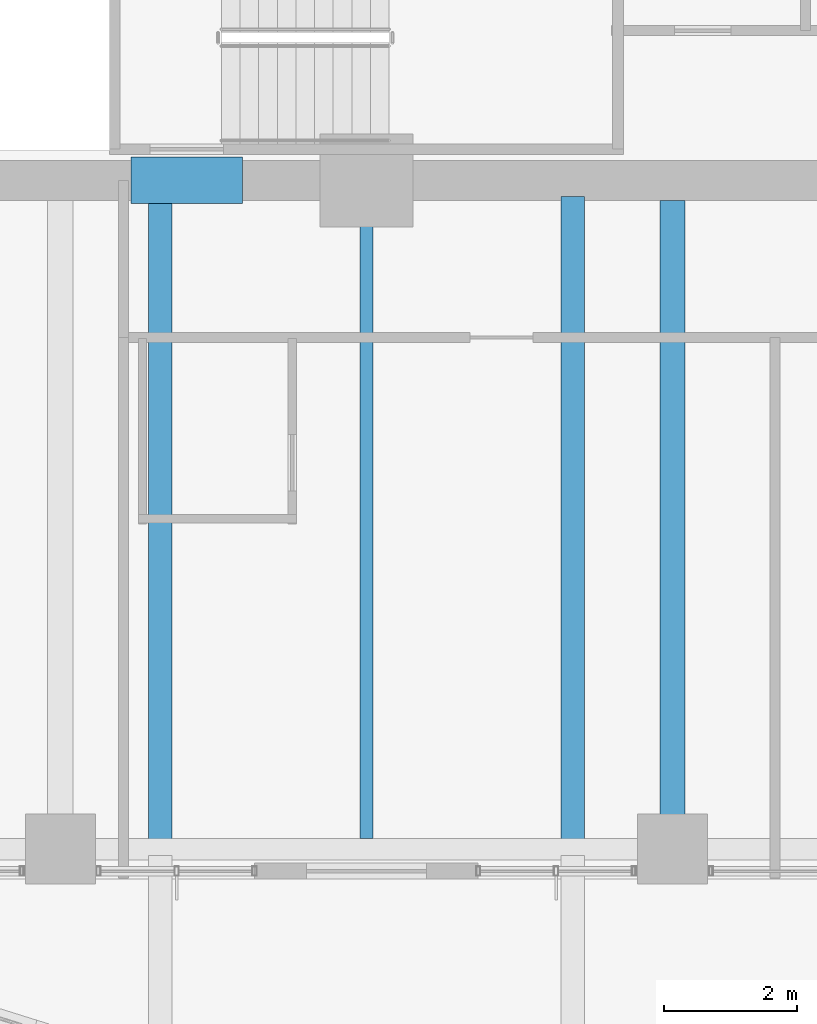
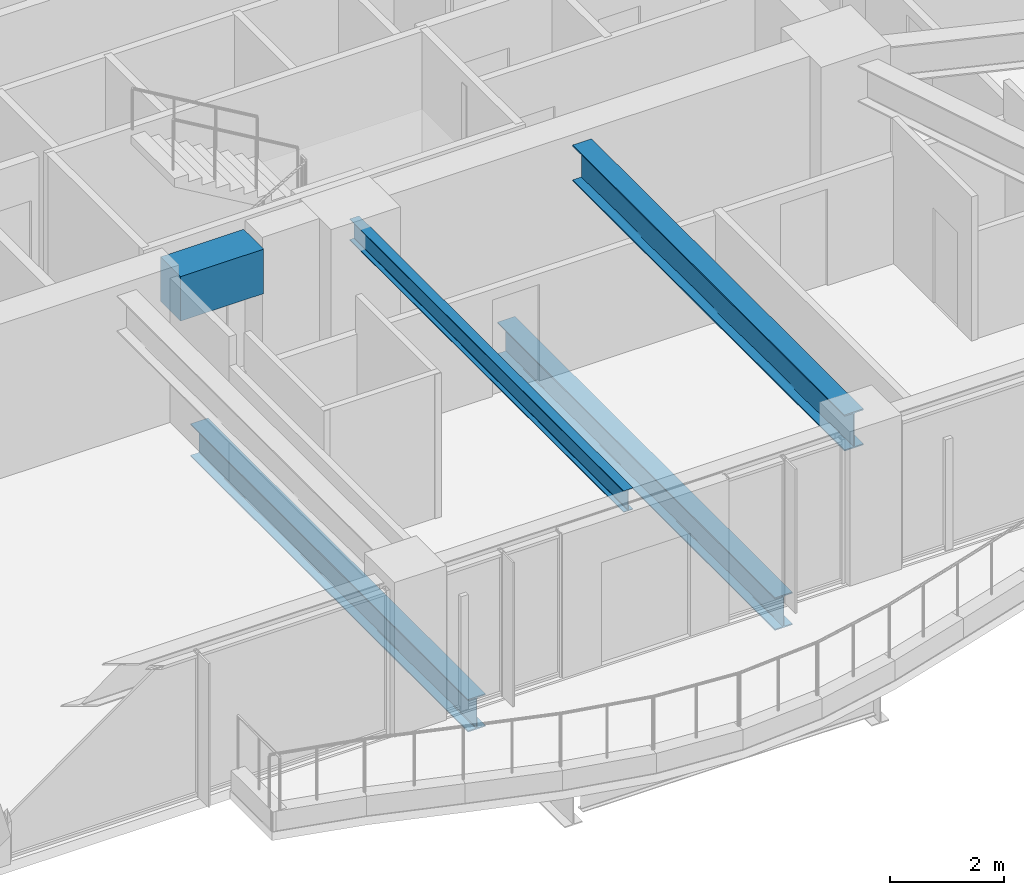
# One storey, part 8 of 38: 5 beams.
"""IFC4 building model written with IfcOpenShell, lengths in metres."""

from ifc_helpers import new_model, si_unit, direction, frame, origin, origin_2d, place, context, subcontext, project, spatial, rectangle, i_section, extrude, material, material_profile, profile_set, type_object, element, save


model = new_model("IFC4")

# Units and contexts
model_context = context("Model", 3, precision=1e-05, world=origin(), true_north=direction((0.0, 1.0)))
body_context = subcontext(model_context, "Body", "Model", "MODEL_VIEW")
ifc_project = project(units=[si_unit("LENGTHUNIT", "METRE"), si_unit("AREAUNIT", "SQUARE_METRE"), si_unit("VOLUMEUNIT", "CUBIC_METRE"), si_unit("PLANEANGLEUNIT", "RADIAN"), si_unit("MASSUNIT", "GRAM", prefix="KILO")], contexts=[model_context])

# Site, building, storey
site_placement = place(None, origin())
site = spatial("IfcSite", under=ifc_project, at=site_placement, CompositionType="ELEMENT")
building_placement = place(site_placement, origin())
building = spatial("IfcBuilding", under=site, at=building_placement, Name="Kolvaren Belvedere", CompositionType="ELEMENT")
storey_placement = place(building_placement, frame((0.0, 0.0, 98.60009765625)))
storey = spatial("IfcBuildingStorey", under=building, at=storey_placement, Name="L28", CompositionType="ELEMENT", Elevation=98.60009765625)

# Beams
ifc_material_1 = material(Name="Structural steel ASTM A992 Grade 50", Category="steel")
ifc_material_profile_1 = material_profile(ifc_material_1, i_section(OverallWidth=0.35498046875, OverallDepth=0.696044921875, WebThickness=0.015380859375, FlangeThickness=0.02490234375, FilletRadius=0.02197265625, at=origin_2d()), Name="W27X146")
ifc_profile_set_1 = profile_set([ifc_material_profile_1], Name="Structural steel ASTM A992 Grade 50")
beam_type_1 = type_object("IfcBeamType", Name="BM-GIRD-W27X146", PredefinedType="BEAM", material=ifc_profile_set_1)
for number, where, z_axis, x_axis, name in (
    (1, (-3.10009765625, -10.139892578125, -0.568115234375), (0.0, -1.0, 0.0), (1.0, 0.0, 0.0), "L28 Balcony Interior Back-Span Girder BAL-S-1"),
    (2, (3.10009765625, -10.139892578125, -0.568115234375), (0.0, -1.0, 0.0), (1.0, 0.0, 0.0), "L28 Balcony Interior Back-Span Girder BAL-S-2"),
):
    element("IfcBeam", number, at=place(storey_placement, frame(where, z_axis=z_axis, x_axis=x_axis)), inside=storey, type_object=beam_type_1, Name=name, PredefinedType="BEAM", context=body_context, shape_type="SweptSolid", body=[
        extrude(i_section(OverallWidth=0.35498046875, OverallDepth=0.696044921875, WebThickness=0.015380859375, FlangeThickness=0.02490234375, FilletRadius=0.02197265625, at=origin_2d()), origin(), (0.0, 0.0, 1.0), 9.715087890625),
    ])
ifc_material_2 = material(Name="Structural steel ASTM A992 Grade 50", Category="steel")
ifc_material_profile_2 = material_profile(ifc_material_2, i_section(OverallWidth=0.381103515625, OverallDepth=0.77294921875, WebThickness=0.0166015625, FlangeThickness=0.027099609375, FilletRadius=0.02392578125, at=origin_2d()), Name="W30X173")
ifc_profile_set_2 = profile_set([ifc_material_profile_2], Name="Structural steel ASTM A992 Grade 50")
beam_type_2 = type_object("IfcBeamType", Name="BM-GIRD-W30X173", PredefinedType="BEAM", material=ifc_profile_set_2)
beam_1_placement = place(storey_placement, frame((4.60009765625, -10.199951171875, 2.693359375), z_axis=(0.0, -1.0, 0.0), x_axis=(1.0, 0.0, 0.0)))
element("IfcBeam", 3, at=beam_1_placement, inside=storey, type_object=beam_type_2, Name="L28 South Radial Girder P", PredefinedType="BEAM", context=body_context, shape_type="SweptSolid", body=[
    extrude(i_section(OverallWidth=0.381103515625, OverallDepth=0.77294921875, WebThickness=0.0166015625, FlangeThickness=0.027099609375, FilletRadius=0.02392578125, at=origin_2d()), origin(), (0.0, 0.0, 1.0), 9.513916015625),
])
ifc_material_3 = material(Name="Structural steel ASTM A992 Grade 50", Category="steel")
ifc_material_profile_3 = material_profile(ifc_material_3, i_section(OverallWidth=0.19091796875, OverallDepth=0.4599609375, WebThickness=0.010009765625, FlangeThickness=0.01611328125, FilletRadius=0.014892578125, at=origin_2d()), Name="W18X55")
ifc_profile_set_3 = profile_set([ifc_material_profile_3], Name="Structural steel ASTM A992 Grade 50")
beam_type_3 = type_object("IfcBeamType", Name="BM-JOIST-W18X55", PredefinedType="BEAM", material=ifc_profile_set_3)
beam_2_placement = place(storey_placement, frame((0.0, -10.199951171875, 2.849853515625), z_axis=(0.0, -1.0, 0.0), x_axis=(1.0, 0.0, 0.0)))
element("IfcBeam", 4, at=beam_2_placement, inside=storey, type_object=beam_type_3, Name="L28 South Centre Floor Beam", PredefinedType="BEAM", context=body_context, shape_type="SweptSolid", body=[
    extrude(i_section(OverallWidth=0.19091796875, OverallDepth=0.4599609375, WebThickness=0.010009765625, FlangeThickness=0.01611328125, FilletRadius=0.014892578125, at=origin_2d()), origin(), (0.0, 0.0, 1.0), 9.587646484375),
])
ifc_material_4 = material(Name="Concrete C60/75", Category="concrete")
ifc_material_profile_4 = material_profile(ifc_material_4, rectangle(XDim=0.699951171875, YDim=0.949951171875, at=origin_2d()), Name="RC 700X950")
ifc_profile_set_4 = profile_set([ifc_material_profile_4], Name="Concrete C60/75")
beam_type_4 = type_object("IfcBeamType", Name="BM-LINT-950", PredefinedType="LINTEL", material=ifc_profile_set_4)
beam_3_placement = place(storey_placement, frame((-3.5400390625, -9.89990234375, 2.60498046875), z_axis=(1.0, 0.0, 0.0), x_axis=(0.0, 1.0, 0.0)))
element("IfcBeam", 5, at=beam_3_placement, inside=storey, type_object=beam_type_4, Name="L28 South Core Coupling Lintel", PredefinedType="LINTEL", context=body_context, shape_type="SweptSolid", body=[
    extrude(rectangle(XDim=0.699951171875, YDim=0.949951171875, at=origin_2d()), origin(), (0.0, 0.0, 1.0), 1.679931640625),
])

save(model, "model.ifc")
